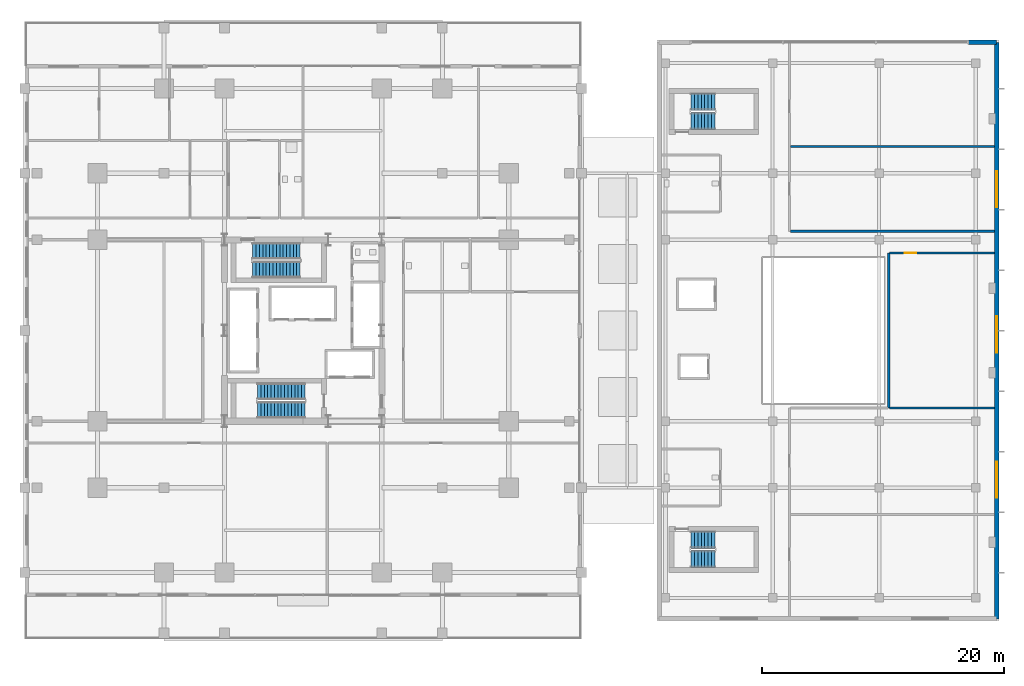
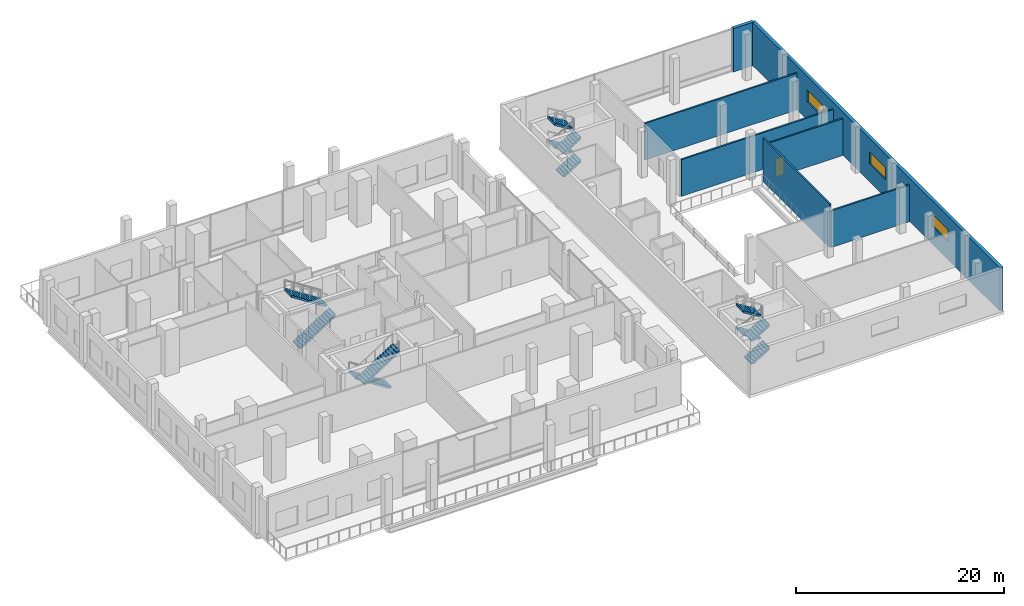
# One storey, part 29 of 36: 12 stair flights, 7 walls, 3 windows, 1 door, 4 openings, 4 elements without a shape of their own.
"""IFC4 building model written with IfcOpenShell, lengths in metres."""

from ifc_helpers import new_model, si_unit, direction, frame, frame_2d, origin, place, context, subcontext, project, spatial, polyline, rectangle, outline, extrude, material, layer, layer_set, type_object, element, fill, aggregate, save


model = new_model("IFC4")

# Units and contexts
model_context = context("Model", 3, precision=1e-05, world=origin(), true_north=direction((0.0, 1.0)))
body_context = subcontext(model_context, "Body", "Model", "MODEL_VIEW")
ifc_project = project(units=[si_unit("LENGTHUNIT", "METRE"), si_unit("AREAUNIT", "SQUARE_METRE"), si_unit("VOLUMEUNIT", "CUBIC_METRE"), si_unit("PLANEANGLEUNIT", "RADIAN"), si_unit("MASSUNIT", "GRAM", prefix="KILO")], contexts=[model_context])

# Site, building, storey
site_placement = place(None, origin())
site = spatial("IfcSite", under=ifc_project, at=site_placement, CompositionType="ELEMENT")
building_placement = place(site_placement, origin())
building = spatial("IfcBuilding", under=site, at=building_placement, Name="Barlavira Tower and Art Museum", CompositionType="ELEMENT")
storey_placement = place(building_placement, frame((0.0, 0.0, 11.39990234375)))
storey = spatial("IfcBuildingStorey", under=building, at=storey_placement, Name="L02", CompositionType="ELEMENT", Elevation=11.39990234375)

# Walls
ifc_material_1 = material(Name="Gypsum acoustic stud partition", Category="gypsum")
ifc_layer_1 = layer(ifc_material_1, 0.179931640625, Name="Gypsum acoustic stud partition")
ifc_layer_set_1 = layer_set([ifc_layer_1], Name="Gypsum acoustic stud partition")
wall_type_1 = type_object("IfcWallType", Name="Inter-Tenancy Party Partition Wall 180", PredefinedType="PARTITIONING", material=ifc_layer_set_1)
wall_1_placement = place(storey_placement, frame((48.39990234375, -6.39990234375, 0.0), z_axis=(0.0, 0.0, 1.0), x_axis=(0.0, 1.0, 0.0)))
element("IfcWall", 1, at=wall_1_placement, inside=storey, type_object=wall_type_1, Name="L02 Partition Wall 17", PredefinedType="PARTITIONING", context=body_context, shape_type="SweptSolid", body=[
    extrude(rectangle(XDim=12.7998046875, YDim=0.179931640625, at=frame_2d((6.39990234375, 0.0))), origin(), (0.0, 0.0, 1.0), 5.080078125),
])
wall_2_placement = place(storey_placement, frame((48.47998046875, -6.39990234375, 0.0), z_axis=(0.0, 0.0, 1.0), x_axis=(1.0, 0.0, 0.0)))
element("IfcWall", 2, at=wall_2_placement, inside=storey, type_object=wall_type_1, Name="L02 Partition Wall 26", PredefinedType="PARTITIONING", context=body_context, shape_type="SweptSolid", body=[
    extrude(rectangle(XDim=8.6650390625, YDim=0.179931640625, at=frame_2d((4.33251953125, 0.0))), origin(), (0.0, 0.0, 1.0), 4.297119140625),
])

# Wall, opening, door
wall_3_placement = place(storey_placement, frame((48.47998046875, 6.39990234375, 0.0), z_axis=(0.0, 0.0, 1.0), x_axis=(1.0, 0.0, 0.0)))
wall_3 = element("IfcWall", 3, at=wall_3_placement, inside=storey, type_object=wall_type_1, Name="L02 Partition Wall 30", PredefinedType="PARTITIONING", context=body_context, shape_type="SweptSolid", body=[
    extrude(rectangle(XDim=8.6650390625, YDim=0.179931640625, at=frame_2d((4.33251953125, 0.0))), origin(), (0.0, 0.0, 1.0), 4.297119140625),
])
opening_1_placement = place(wall_3_placement, frame((1.2451171875, 0.0, 0.0)))
opening_1 = element("IfcOpeningElement", 4, at=opening_1_placement, cuts=wall_3, Name="Opening FD-60", PredefinedType="OPENING", context=body_context, shape_type="SweptSolid", body=[
    extrude(rectangle(XDim=0.949951171875, YDim=2.14990234375, at=frame_2d((0.47509765625, 1.074951171875))), frame((0.0, 0.10009765625, 0.0), z_axis=(0.0, -1.0, 0.0), x_axis=(1.0, 0.0, 0.0)), (0.0, 0.0, 1.0), 0.199951171875),
])
ifc_material_2 = material(Name="Brushed stainless steel", Category="steel")
door_type = type_object("IfcDoorType", Name="Apartment Entrance and Riser Fire Door 950x2150 FD60S", OperationType="NOTDEFINED", PredefinedType="DOOR", material=ifc_material_2)
door_placement = place(opening_1_placement, origin())
door = element("IfcDoor", 5, at=door_placement, inside=storey, type_object=door_type, Name="L02 East Daylight Bridge Gallery Door", OperationType="SINGLE_SWING_LEFT", OverallHeight=2.14990234375, OverallWidth=0.949951171875, PredefinedType="DOOR", context=body_context, shape_type="SweptSolid", body=[
    extrude(rectangle(XDim=0.949951171875, YDim=2.14990234375, at=frame_2d((0.47509765625, 1.074951171875))), frame((0.0, 0.02490234375, 0.0), z_axis=(0.0, -1.0, 0.0), x_axis=(1.0, 0.0, 0.0)), (0.0, 0.0, 1.0), 0.050048828125),
])
fill(opening_1, door)

# Walls
for number, where, z_axis, x_axis, name in (
    (6, (40.280029296875, 8.199951171875, 0.0), (0.0, 0.0, 1.0), (1.0, 0.0, 0.0), "L02 Partition Wall 35"),
    (7, (40.280029296875, 15.199951171875, 0.0), (0.0, 0.0, 1.0), (1.0, 0.0, 0.0), "L02 Partition Wall 44"),
):
    element("IfcWall", number, at=place(storey_placement, frame(where, z_axis=z_axis, x_axis=x_axis)), inside=storey, type_object=wall_type_1, Name=name, PredefinedType="PARTITIONING", context=body_context, shape_type="SweptSolid", body=[
        extrude(rectangle(XDim=16.864990234375, YDim=0.179931640625, at=frame_2d((8.4326171875, 0.0))), origin(), (0.0, 0.0, 1.0), 4.297119140625),
    ])

# Wall, openings, windows
ifc_material_3 = material(Name="Precast concrete C40", Category="concrete")
ifc_layer_2 = layer(ifc_material_3, 0.35009765625, Name="Precast concrete C40")
ifc_layer_set_2 = layer_set([ifc_layer_2], Name="Precast concrete C40")
wall_type_2 = type_object("IfcWallType", Name="Museum Board-Formed Concrete Facade Wall 350 Concrete C40", PredefinedType="SOLIDWALL", material=ifc_layer_set_2)
wall_4_placement = place(storey_placement, frame((57.324951171875, -23.824951171875, 0.0), z_axis=(0.0, 0.0, 1.0), x_axis=(0.0, 1.0, 0.0)))
wall_4 = element("IfcWall", 8, at=wall_4_placement, inside=storey, type_object=wall_type_2, Name="L02 Museum East Coastal Facade Wall", PredefinedType="SOLIDWALL", context=body_context, shape_type="SweptSolid", body=[
    extrude(rectangle(XDim=47.64990234375, YDim=0.35009765625, at=frame_2d((23.824951171875, 0.0))), origin(), (0.0, 0.0, 1.0), 5.080078125),
])
opening_2_placement = place(wall_4_placement, frame((10.0, 0.0, 2.10009765625)))
opening_2 = element("IfcOpeningElement", 9, at=opening_2_placement, cuts=wall_4, Name="Opening WN-03", PredefinedType="OPENING", context=body_context, shape_type="SweptSolid", body=[
    extrude(rectangle(XDim=3.0, YDim=1.39990234375, at=frame_2d((1.5, 0.699951171875))), frame((0.0, 0.18505859375, 0.0), z_axis=(0.0, -1.0, 0.0), x_axis=(1.0, 0.0, 0.0)), (0.0, 0.0, 1.0), 0.3701171875),
])
opening_3_placement = place(wall_4_placement, frame((22.0, 0.0, 2.10009765625)))
opening_3 = element("IfcOpeningElement", 10, at=opening_3_placement, cuts=wall_4, Name="Opening WN-03", PredefinedType="OPENING", context=body_context, shape_type="SweptSolid", body=[
    extrude(rectangle(XDim=3.0, YDim=1.39990234375, at=frame_2d((1.5, 0.699951171875))), frame((0.0, 0.18505859375, 0.0), z_axis=(0.0, -1.0, 0.0), x_axis=(1.0, 0.0, 0.0)), (0.0, 0.0, 1.0), 0.3701171875),
])
opening_4_placement = place(wall_4_placement, frame((34.0, 0.0, 2.10009765625)))
opening_4 = element("IfcOpeningElement", 11, at=opening_4_placement, cuts=wall_4, Name="Opening WN-03", PredefinedType="OPENING", context=body_context, shape_type="SweptSolid", body=[
    extrude(rectangle(XDim=3.0, YDim=1.39990234375, at=frame_2d((1.5, 0.699951171875))), frame((0.0, 0.18505859375, 0.0), z_axis=(0.0, -1.0, 0.0), x_axis=(1.0, 0.0, 0.0)), (0.0, 0.0, 1.0), 0.3701171875),
])
ifc_material_4 = material(Name="Low-iron coastal laminated glass", Category="glass")
window_type = type_object("IfcWindowType", Name="Museum Controlled-Daylight Clerestory Window 3000x1400", PartitioningType="SINGLE_PANEL", PredefinedType="WINDOW", material=ifc_material_4)
window_1_placement = place(opening_2_placement, origin())
window_1 = element("IfcWindow", 12, at=window_1_placement, inside=storey, type_object=window_type, Name="L02 Museum Coastal Clerestory Window E1", OverallHeight=1.39990234375, OverallWidth=3.0, PartitioningType="SINGLE_PANEL", PredefinedType="WINDOW", context=body_context, shape_type="SweptSolid", body=[
    extrude(rectangle(XDim=3.0, YDim=1.39990234375, at=frame_2d((1.5, 0.699951171875))), frame((0.0, 0.030029296875, 0.0), z_axis=(0.0, -1.0, 0.0), x_axis=(1.0, 0.0, 0.0)), (0.0, 0.0, 1.0), 0.06005859375),
])
fill(opening_2, window_1)
window_2_placement = place(opening_3_placement, origin())
window_2 = element("IfcWindow", 13, at=window_2_placement, inside=storey, type_object=window_type, Name="L02 Museum Coastal Clerestory Window E2", OverallHeight=1.39990234375, OverallWidth=3.0, PartitioningType="SINGLE_PANEL", PredefinedType="WINDOW", context=body_context, shape_type="SweptSolid", body=[
    extrude(rectangle(XDim=3.0, YDim=1.39990234375, at=frame_2d((1.5, 0.699951171875))), frame((0.0, 0.030029296875, 0.0), z_axis=(0.0, -1.0, 0.0), x_axis=(1.0, 0.0, 0.0)), (0.0, 0.0, 1.0), 0.06005859375),
])
fill(opening_3, window_2)
window_3_placement = place(opening_4_placement, origin())
window_3 = element("IfcWindow", 14, at=window_3_placement, inside=storey, type_object=window_type, Name="L02 Museum Coastal Clerestory Window E3", OverallHeight=1.39990234375, OverallWidth=3.0, PartitioningType="SINGLE_PANEL", PredefinedType="WINDOW", context=body_context, shape_type="SweptSolid", body=[
    extrude(rectangle(XDim=3.0, YDim=1.39990234375, at=frame_2d((1.5, 0.699951171875))), frame((0.0, 0.030029296875, 0.0), z_axis=(0.0, -1.0, 0.0), x_axis=(1.0, 0.0, 0.0)), (0.0, 0.0, 1.0), 0.06005859375),
])
fill(opening_4, window_3)

# Wall
wall_5_placement = place(storey_placement, frame((57.324951171875, 23.824951171875, 0.0), z_axis=(0.0, 0.0, 1.0), x_axis=(-1.0, 0.0, 0.0)))
element("IfcWall", 15, at=wall_5_placement, inside=storey, type_object=wall_type_2, Name="L02 Museum North-East Pier Wall", PredefinedType="SOLIDWALL", context=body_context, shape_type="SweptSolid", body=[
    extrude(rectangle(XDim=2.324951171875, YDim=0.35009765625, at=frame_2d((1.16259765625, 0.0))), origin(), (0.0, 0.0, 1.0), 5.080078125),
])

# Stair, stair flights
ifc_material_5 = material(Name="Concrete C45", Category="concrete")
stair_type_1 = type_object("IfcStairType", Name="Museum North Dog-Leg Exit Stair Assembly Concrete C45", PredefinedType="TWO_QUARTER_TURN_STAIR", material=ifc_material_5)
stair_1_placement = place(storey_placement, origin())
stair_1 = element("IfcStair", 16, at=stair_1_placement, inside=storey, type_object=stair_type_1, Name="L02 Museum North Exit Stair ST-M2", PredefinedType="TWO_QUARTER_TURN_STAIR")
ifc_material_6 = material(Name="Precast concrete C45", Category="concrete")
stair_flight_type_1 = type_object("IfcStairFlightType", Name="Museum North Dog-Leg Exit Stair Precast Flight 1400 Concrete C45", PredefinedType="STRAIGHT", material=ifc_material_6)
stair_flight_1_placement = place(storey_placement, frame((32.070068359375, 17.300048828125, 0.0), z_axis=(0.0, 0.0, 1.0), x_axis=(1.0, 0.0, 0.0)))
stair_flight_1 = element("IfcStairFlight", 17, at=stair_flight_1_placement, type_object=stair_flight_type_1, Name="ST-M2 flight 1", NumberOfRisers=8, NumberOfTreads=7, PredefinedType="STRAIGHT", RiserHeight=0.16875, TreadLength=0.28, context=body_context, shape_type="SweptSolid", body=[
    extrude(outline(polyline([(-0.02490234375, 0.0), (0.0, 0.0), (0.0, 0.168701171875), (0.280029296875, 0.168701171875), (0.280029296875, 0.33740234375), (0.56005859375, 0.33740234375), (0.56005859375, 0.50634765625), (0.840087890625, 0.50634765625), (0.840087890625, 0.675048828125), (1.1201171875, 0.675048828125), (1.1201171875, 0.84375), (1.39990234375, 0.84375), (1.39990234375, 1.012451171875), (1.679931640625, 1.012451171875), (1.679931640625, 1.18115234375), (1.9599609375, 1.18115234375), (1.9599609375, 1.35009765625), (1.98486328125, 1.35009765625), (1.98486328125, 1.00634765625), (1.9599609375, 1.00634765625), (0.29052734375, -0.02490234375), (-0.02490234375, -0.02490234375), (-0.02490234375, 0.0)])), frame((0.0, 0.699951171875, 0.0), z_axis=(0.0, -1.0, 0.0), x_axis=(1.0, 0.0, 0.0)), (0.0, 0.0, 1.0), 1.39990234375),
])
stair_flight_2_placement = place(storey_placement, frame((34.030029296875, 18.89990234375, 1.35009765625), z_axis=(0.0, 0.0, 1.0), x_axis=(-1.0, 0.0, 0.0)))
stair_flight_2 = element("IfcStairFlight", 18, at=stair_flight_2_placement, type_object=stair_flight_type_1, Name="ST-M2 flight 2", NumberOfRisers=8, NumberOfTreads=7, PredefinedType="STRAIGHT", RiserHeight=0.16875, TreadLength=0.28, context=body_context, shape_type="SweptSolid", body=[
    extrude(outline(polyline([(-0.02490234375, 0.0), (0.0, 0.0), (0.0, 0.168701171875), (0.280029296875, 0.168701171875), (0.280029296875, 0.33740234375), (0.56005859375, 0.33740234375), (0.56005859375, 0.50634765625), (0.840087890625, 0.50634765625), (0.840087890625, 0.675048828125), (1.1201171875, 0.675048828125), (1.1201171875, 0.84375), (1.39990234375, 0.84375), (1.39990234375, 1.012451171875), (1.679931640625, 1.012451171875), (1.679931640625, 1.18115234375), (1.9599609375, 1.18115234375), (1.9599609375, 1.35009765625), (1.98486328125, 1.35009765625), (1.98486328125, 1.00634765625), (1.9599609375, 1.00634765625), (0.29052734375, -0.02490234375), (-0.02490234375, -0.02490234375), (-0.02490234375, 0.0)])), frame((0.0, 0.699951171875, 0.0), z_axis=(0.0, -1.0, 0.0), x_axis=(1.0, 0.0, 0.0)), (0.0, 0.0, 1.0), 1.39990234375),
])
stair_flight_3_placement = place(storey_placement, frame((32.070068359375, 17.300048828125, 2.7001953125), z_axis=(0.0, 0.0, 1.0), x_axis=(1.0, 0.0, 0.0)))
stair_flight_3 = element("IfcStairFlight", 19, at=stair_flight_3_placement, type_object=stair_flight_type_1, Name="ST-M2 flight 3", NumberOfRisers=8, NumberOfTreads=7, PredefinedType="STRAIGHT", RiserHeight=0.16875, TreadLength=0.28, context=body_context, shape_type="SweptSolid", body=[
    extrude(outline(polyline([(-0.02490234375, 0.0), (0.0, 0.0), (0.0, 0.168701171875), (0.280029296875, 0.168701171875), (0.280029296875, 0.33740234375), (0.56005859375, 0.33740234375), (0.56005859375, 0.50634765625), (0.840087890625, 0.50634765625), (0.840087890625, 0.675048828125), (1.1201171875, 0.675048828125), (1.1201171875, 0.84375), (1.39990234375, 0.84375), (1.39990234375, 1.012451171875), (1.679931640625, 1.012451171875), (1.679931640625, 1.18115234375), (1.9599609375, 1.18115234375), (1.9599609375, 1.35009765625), (1.98486328125, 1.35009765625), (1.98486328125, 1.00634765625), (1.9599609375, 1.00634765625), (0.29052734375, -0.02490234375), (-0.02490234375, -0.02490234375), (-0.02490234375, 0.0)])), frame((0.0, 0.699951171875, 0.0), z_axis=(0.0, -1.0, 0.0), x_axis=(1.0, 0.0, 0.0)), (0.0, 0.0, 1.0), 1.39990234375),
])
stair_flight_4_placement = place(storey_placement, frame((34.030029296875, 18.89990234375, 4.050048828125), z_axis=(0.0, 0.0, 1.0), x_axis=(-1.0, 0.0, 0.0)))
stair_flight_4 = element("IfcStairFlight", 20, at=stair_flight_4_placement, type_object=stair_flight_type_1, Name="ST-M2 flight 4", NumberOfRisers=8, NumberOfTreads=7, PredefinedType="STRAIGHT", RiserHeight=0.16875, TreadLength=0.28, context=body_context, shape_type="SweptSolid", body=[
    extrude(outline(polyline([(-0.02490234375, 0.0), (0.0, 0.0), (0.0, 0.168701171875), (0.280029296875, 0.168701171875), (0.280029296875, 0.33740234375), (0.56005859375, 0.33740234375), (0.56005859375, 0.50634765625), (0.840087890625, 0.50634765625), (0.840087890625, 0.675048828125), (1.1201171875, 0.675048828125), (1.1201171875, 0.84375), (1.39990234375, 0.84375), (1.39990234375, 1.012451171875), (1.679931640625, 1.012451171875), (1.679931640625, 1.18115234375), (1.9599609375, 1.18115234375), (1.9599609375, 1.35009765625), (1.98486328125, 1.35009765625), (1.98486328125, 1.00634765625), (1.9599609375, 1.00634765625), (0.29052734375, -0.02490234375), (-0.02490234375, -0.02490234375), (-0.02490234375, 0.0)])), frame((0.0, 0.699951171875, 0.0), z_axis=(0.0, -1.0, 0.0), x_axis=(1.0, 0.0, 0.0)), (0.0, 0.0, 1.0), 1.39990234375),
])
aggregate(stair_1, [stair_flight_1, stair_flight_2, stair_flight_3, stair_flight_4])

stair_type_2 = type_object("IfcStairType", Name="Museum South Dog-Leg Exit Stair Assembly Concrete C45", PredefinedType="TWO_QUARTER_TURN_STAIR", material=ifc_material_5)
stair_2_placement = place(storey_placement, origin())
stair_2 = element("IfcStair", 21, at=stair_2_placement, inside=storey, type_object=stair_type_2, Name="L02 Museum South Exit Stair ST-M1", PredefinedType="TWO_QUARTER_TURN_STAIR")
stair_flight_type_2 = type_object("IfcStairFlightType", Name="Museum South Dog-Leg Exit Stair Precast Flight 1400 Concrete C45", PredefinedType="STRAIGHT", material=ifc_material_6)
stair_flight_5_placement = place(storey_placement, frame((32.070068359375, -18.89990234375, 0.0), z_axis=(0.0, 0.0, 1.0), x_axis=(1.0, 0.0, 0.0)))
stair_flight_5 = element("IfcStairFlight", 22, at=stair_flight_5_placement, type_object=stair_flight_type_2, Name="ST-M1 flight 1", NumberOfRisers=8, NumberOfTreads=7, PredefinedType="STRAIGHT", RiserHeight=0.16875, TreadLength=0.28, context=body_context, shape_type="SweptSolid", body=[
    extrude(outline(polyline([(-0.02490234375, 0.0), (0.0, 0.0), (0.0, 0.168701171875), (0.280029296875, 0.168701171875), (0.280029296875, 0.33740234375), (0.56005859375, 0.33740234375), (0.56005859375, 0.50634765625), (0.840087890625, 0.50634765625), (0.840087890625, 0.675048828125), (1.1201171875, 0.675048828125), (1.1201171875, 0.84375), (1.39990234375, 0.84375), (1.39990234375, 1.012451171875), (1.679931640625, 1.012451171875), (1.679931640625, 1.18115234375), (1.9599609375, 1.18115234375), (1.9599609375, 1.35009765625), (1.98486328125, 1.35009765625), (1.98486328125, 1.00634765625), (1.9599609375, 1.00634765625), (0.29052734375, -0.02490234375), (-0.02490234375, -0.02490234375), (-0.02490234375, 0.0)])), frame((0.0, 0.699951171875, 0.0), z_axis=(0.0, -1.0, 0.0), x_axis=(1.0, 0.0, 0.0)), (0.0, 0.0, 1.0), 1.39990234375),
])
stair_flight_6_placement = place(storey_placement, frame((34.030029296875, -17.300048828125, 1.35009765625), z_axis=(0.0, 0.0, 1.0), x_axis=(-1.0, 0.0, 0.0)))
stair_flight_6 = element("IfcStairFlight", 23, at=stair_flight_6_placement, type_object=stair_flight_type_2, Name="ST-M1 flight 2", NumberOfRisers=8, NumberOfTreads=7, PredefinedType="STRAIGHT", RiserHeight=0.16875, TreadLength=0.28, context=body_context, shape_type="SweptSolid", body=[
    extrude(outline(polyline([(-0.02490234375, 0.0), (0.0, 0.0), (0.0, 0.168701171875), (0.280029296875, 0.168701171875), (0.280029296875, 0.33740234375), (0.56005859375, 0.33740234375), (0.56005859375, 0.50634765625), (0.840087890625, 0.50634765625), (0.840087890625, 0.675048828125), (1.1201171875, 0.675048828125), (1.1201171875, 0.84375), (1.39990234375, 0.84375), (1.39990234375, 1.012451171875), (1.679931640625, 1.012451171875), (1.679931640625, 1.18115234375), (1.9599609375, 1.18115234375), (1.9599609375, 1.35009765625), (1.98486328125, 1.35009765625), (1.98486328125, 1.00634765625), (1.9599609375, 1.00634765625), (0.29052734375, -0.02490234375), (-0.02490234375, -0.02490234375), (-0.02490234375, 0.0)])), frame((0.0, 0.699951171875, 0.0), z_axis=(0.0, -1.0, 0.0), x_axis=(1.0, 0.0, 0.0)), (0.0, 0.0, 1.0), 1.39990234375),
])
stair_flight_7_placement = place(storey_placement, frame((32.070068359375, -18.89990234375, 2.7001953125), z_axis=(0.0, 0.0, 1.0), x_axis=(1.0, 0.0, 0.0)))
stair_flight_7 = element("IfcStairFlight", 24, at=stair_flight_7_placement, type_object=stair_flight_type_2, Name="ST-M1 flight 3", NumberOfRisers=8, NumberOfTreads=7, PredefinedType="STRAIGHT", RiserHeight=0.16875, TreadLength=0.28, context=body_context, shape_type="SweptSolid", body=[
    extrude(outline(polyline([(-0.02490234375, 0.0), (0.0, 0.0), (0.0, 0.168701171875), (0.280029296875, 0.168701171875), (0.280029296875, 0.33740234375), (0.56005859375, 0.33740234375), (0.56005859375, 0.50634765625), (0.840087890625, 0.50634765625), (0.840087890625, 0.675048828125), (1.1201171875, 0.675048828125), (1.1201171875, 0.84375), (1.39990234375, 0.84375), (1.39990234375, 1.012451171875), (1.679931640625, 1.012451171875), (1.679931640625, 1.18115234375), (1.9599609375, 1.18115234375), (1.9599609375, 1.35009765625), (1.98486328125, 1.35009765625), (1.98486328125, 1.00634765625), (1.9599609375, 1.00634765625), (0.29052734375, -0.02490234375), (-0.02490234375, -0.02490234375), (-0.02490234375, 0.0)])), frame((0.0, 0.699951171875, 0.0), z_axis=(0.0, -1.0, 0.0), x_axis=(1.0, 0.0, 0.0)), (0.0, 0.0, 1.0), 1.39990234375),
])
stair_flight_8_placement = place(storey_placement, frame((34.030029296875, -17.300048828125, 4.050048828125), z_axis=(0.0, 0.0, 1.0), x_axis=(-1.0, 0.0, 0.0)))
stair_flight_8 = element("IfcStairFlight", 25, at=stair_flight_8_placement, type_object=stair_flight_type_2, Name="ST-M1 flight 4", NumberOfRisers=8, NumberOfTreads=7, PredefinedType="STRAIGHT", RiserHeight=0.16875, TreadLength=0.28, context=body_context, shape_type="SweptSolid", body=[
    extrude(outline(polyline([(-0.02490234375, 0.0), (0.0, 0.0), (0.0, 0.168701171875), (0.280029296875, 0.168701171875), (0.280029296875, 0.33740234375), (0.56005859375, 0.33740234375), (0.56005859375, 0.50634765625), (0.840087890625, 0.50634765625), (0.840087890625, 0.675048828125), (1.1201171875, 0.675048828125), (1.1201171875, 0.84375), (1.39990234375, 0.84375), (1.39990234375, 1.012451171875), (1.679931640625, 1.012451171875), (1.679931640625, 1.18115234375), (1.9599609375, 1.18115234375), (1.9599609375, 1.35009765625), (1.98486328125, 1.35009765625), (1.98486328125, 1.00634765625), (1.9599609375, 1.00634765625), (0.29052734375, -0.02490234375), (-0.02490234375, -0.02490234375), (-0.02490234375, 0.0)])), frame((0.0, 0.699951171875, 0.0), z_axis=(0.0, -1.0, 0.0), x_axis=(1.0, 0.0, 0.0)), (0.0, 0.0, 1.0), 1.39990234375),
])
aggregate(stair_2, [stair_flight_5, stair_flight_6, stair_flight_7, stair_flight_8])

stair_type_3 = type_object("IfcStairType", Name="Tower North Dog-Leg Exit Stair Assembly Concrete C45", PredefinedType="TWO_QUARTER_TURN_STAIR", material=ifc_material_5)
stair_3_placement = place(storey_placement, origin())
stair_3 = element("IfcStair", 26, at=stair_3_placement, inside=storey, type_object=stair_type_3, Name="L02 Tower North Exit Stair ST-T2", PredefinedType="TWO_QUARTER_TURN_STAIR")
stair_flight_type_3 = type_object("IfcStairFlightType", Name="Tower North Dog-Leg Exit Stair Precast Flight 1350 Concrete C45", PredefinedType="STRAIGHT", material=ifc_material_6)
stair_flight_9_placement = place(storey_placement, frame((-4.169921875, 5.02490234375, 0.0), z_axis=(0.0, 0.0, 1.0), x_axis=(1.0, 0.0, 0.0)))
stair_flight_9 = element("IfcStairFlight", 27, at=stair_flight_9_placement, type_object=stair_flight_type_3, Name="ST-T2 flight 1", NumberOfRisers=15, NumberOfTreads=14, PredefinedType="STRAIGHT", RiserHeight=0.18, TreadLength=0.28, context=body_context, shape_type="SweptSolid", body=[
    extrude(outline(polyline([(-0.02490234375, 0.0), (0.0, 0.0), (0.0, 0.179931640625), (0.280029296875, 0.179931640625), (0.280029296875, 0.360107421875), (0.56005859375, 0.360107421875), (0.56005859375, 0.5400390625), (0.840087890625, 0.5400390625), (0.840087890625, 0.719970703125), (1.1201171875, 0.719970703125), (1.1201171875, 0.89990234375), (1.39990234375, 0.89990234375), (1.39990234375, 1.080078125), (1.679931640625, 1.080078125), (1.679931640625, 1.260009765625), (1.9599609375, 1.260009765625), (1.9599609375, 1.43994140625), (2.239990234375, 1.43994140625), (2.239990234375, 1.6201171875), (2.52001953125, 1.6201171875), (2.52001953125, 1.800048828125), (2.800048828125, 1.800048828125), (2.800048828125, 1.97998046875), (3.080078125, 1.97998046875), (3.080078125, 2.159912109375), (3.360107421875, 2.159912109375), (3.360107421875, 2.340087890625), (3.639892578125, 2.340087890625), (3.639892578125, 2.52001953125), (3.919921875, 2.52001953125), (3.919921875, 2.699951171875), (3.94482421875, 2.699951171875), (3.94482421875, 2.341796875), (3.919921875, 2.341796875), (0.277099609375, -0.02490234375), (-0.02490234375, -0.02490234375), (-0.02490234375, 0.0)])), frame((0.0, 0.675048828125, 0.0), z_axis=(0.0, -1.0, 0.0), x_axis=(1.0, 0.0, 0.0)), (0.0, 0.0, 1.0), 1.35009765625),
])
stair_flight_10_placement = place(storey_placement, frame((-0.25, 6.574951171875, 2.7001953125), z_axis=(0.0, 0.0, 1.0), x_axis=(-1.0, 0.0, 0.0)))
stair_flight_10 = element("IfcStairFlight", 28, at=stair_flight_10_placement, type_object=stair_flight_type_3, Name="ST-T2 flight 2", NumberOfRisers=15, NumberOfTreads=14, PredefinedType="STRAIGHT", RiserHeight=0.18, TreadLength=0.28, context=body_context, shape_type="SweptSolid", body=[
    extrude(outline(polyline([(-0.02490234375, 0.0), (0.0, 0.0), (0.0, 0.179931640625), (0.280029296875, 0.179931640625), (0.280029296875, 0.360107421875), (0.56005859375, 0.360107421875), (0.56005859375, 0.5400390625), (0.840087890625, 0.5400390625), (0.840087890625, 0.719970703125), (1.1201171875, 0.719970703125), (1.1201171875, 0.89990234375), (1.39990234375, 0.89990234375), (1.39990234375, 1.080078125), (1.679931640625, 1.080078125), (1.679931640625, 1.260009765625), (1.9599609375, 1.260009765625), (1.9599609375, 1.43994140625), (2.239990234375, 1.43994140625), (2.239990234375, 1.6201171875), (2.52001953125, 1.6201171875), (2.52001953125, 1.800048828125), (2.800048828125, 1.800048828125), (2.800048828125, 1.97998046875), (3.080078125, 1.97998046875), (3.080078125, 2.159912109375), (3.360107421875, 2.159912109375), (3.360107421875, 2.340087890625), (3.639892578125, 2.340087890625), (3.639892578125, 2.52001953125), (3.919921875, 2.52001953125), (3.919921875, 2.699951171875), (3.94482421875, 2.699951171875), (3.94482421875, 2.341796875), (3.919921875, 2.341796875), (0.277099609375, -0.02490234375), (-0.02490234375, -0.02490234375), (-0.02490234375, 0.0)])), frame((0.0, 0.675048828125, 0.0), z_axis=(0.0, -1.0, 0.0), x_axis=(1.0, 0.0, 0.0)), (0.0, 0.0, 1.0), 1.35009765625),
])
aggregate(stair_3, [stair_flight_9, stair_flight_10])

stair_type_4 = type_object("IfcStairType", Name="Tower South Dog-Leg Exit Stair Assembly Concrete C45", PredefinedType="TWO_QUARTER_TURN_STAIR", material=ifc_material_5)
stair_4_placement = place(storey_placement, origin())
stair_4 = element("IfcStair", 29, at=stair_4_placement, inside=storey, type_object=stair_type_4, Name="L02 Tower South Exit Stair ST-T1", PredefinedType="TWO_QUARTER_TURN_STAIR")
stair_flight_type_4 = type_object("IfcStairFlightType", Name="Tower South Dog-Leg Exit Stair Precast Flight 1350 Concrete C45", PredefinedType="STRAIGHT", material=ifc_material_6)
stair_flight_11_placement = place(storey_placement, frame((0.14990234375, -5.02490234375, 0.0), z_axis=(0.0, 0.0, 1.0), x_axis=(-1.0, 0.0, 0.0)))
stair_flight_11 = element("IfcStairFlight", 30, at=stair_flight_11_placement, type_object=stair_flight_type_4, Name="ST-T1 flight 1", NumberOfRisers=15, NumberOfTreads=14, PredefinedType="STRAIGHT", RiserHeight=0.18, TreadLength=0.28, context=body_context, shape_type="SweptSolid", body=[
    extrude(outline(polyline([(-0.02490234375, 0.0), (0.0, 0.0), (0.0, 0.179931640625), (0.280029296875, 0.179931640625), (0.280029296875, 0.360107421875), (0.56005859375, 0.360107421875), (0.56005859375, 0.5400390625), (0.840087890625, 0.5400390625), (0.840087890625, 0.719970703125), (1.1201171875, 0.719970703125), (1.1201171875, 0.89990234375), (1.39990234375, 0.89990234375), (1.39990234375, 1.080078125), (1.679931640625, 1.080078125), (1.679931640625, 1.260009765625), (1.9599609375, 1.260009765625), (1.9599609375, 1.43994140625), (2.239990234375, 1.43994140625), (2.239990234375, 1.6201171875), (2.52001953125, 1.6201171875), (2.52001953125, 1.800048828125), (2.800048828125, 1.800048828125), (2.800048828125, 1.97998046875), (3.080078125, 1.97998046875), (3.080078125, 2.159912109375), (3.360107421875, 2.159912109375), (3.360107421875, 2.340087890625), (3.639892578125, 2.340087890625), (3.639892578125, 2.52001953125), (3.919921875, 2.52001953125), (3.919921875, 2.699951171875), (3.94482421875, 2.699951171875), (3.94482421875, 2.341796875), (3.919921875, 2.341796875), (0.277099609375, -0.02490234375), (-0.02490234375, -0.02490234375), (-0.02490234375, 0.0)])), frame((0.0, 0.675048828125, 0.0), z_axis=(0.0, -1.0, 0.0), x_axis=(1.0, 0.0, 0.0)), (0.0, 0.0, 1.0), 1.35009765625),
])
stair_flight_12_placement = place(storey_placement, frame((-3.77001953125, -6.574951171875, 2.7001953125), z_axis=(0.0, 0.0, 1.0), x_axis=(1.0, 0.0, 0.0)))
stair_flight_12 = element("IfcStairFlight", 31, at=stair_flight_12_placement, type_object=stair_flight_type_4, Name="ST-T1 flight 2", NumberOfRisers=15, NumberOfTreads=14, PredefinedType="STRAIGHT", RiserHeight=0.18, TreadLength=0.28, context=body_context, shape_type="SweptSolid", body=[
    extrude(outline(polyline([(-0.02490234375, 0.0), (0.0, 0.0), (0.0, 0.179931640625), (0.280029296875, 0.179931640625), (0.280029296875, 0.360107421875), (0.56005859375, 0.360107421875), (0.56005859375, 0.5400390625), (0.840087890625, 0.5400390625), (0.840087890625, 0.719970703125), (1.1201171875, 0.719970703125), (1.1201171875, 0.89990234375), (1.39990234375, 0.89990234375), (1.39990234375, 1.080078125), (1.679931640625, 1.080078125), (1.679931640625, 1.260009765625), (1.9599609375, 1.260009765625), (1.9599609375, 1.43994140625), (2.239990234375, 1.43994140625), (2.239990234375, 1.6201171875), (2.52001953125, 1.6201171875), (2.52001953125, 1.800048828125), (2.800048828125, 1.800048828125), (2.800048828125, 1.97998046875), (3.080078125, 1.97998046875), (3.080078125, 2.159912109375), (3.360107421875, 2.159912109375), (3.360107421875, 2.340087890625), (3.639892578125, 2.340087890625), (3.639892578125, 2.52001953125), (3.919921875, 2.52001953125), (3.919921875, 2.699951171875), (3.94482421875, 2.699951171875), (3.94482421875, 2.341796875), (3.919921875, 2.341796875), (0.277099609375, -0.02490234375), (-0.02490234375, -0.02490234375), (-0.02490234375, 0.0)])), frame((0.0, 0.675048828125, 0.0), z_axis=(0.0, -1.0, 0.0), x_axis=(1.0, 0.0, 0.0)), (0.0, 0.0, 1.0), 1.35009765625),
])
aggregate(stair_4, [stair_flight_11, stair_flight_12])

save(model, "model.ifc")
